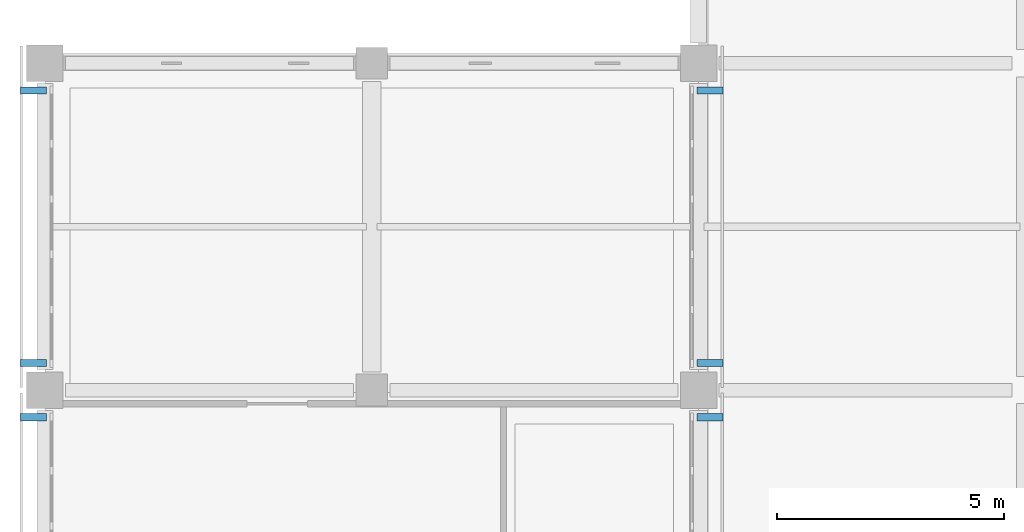
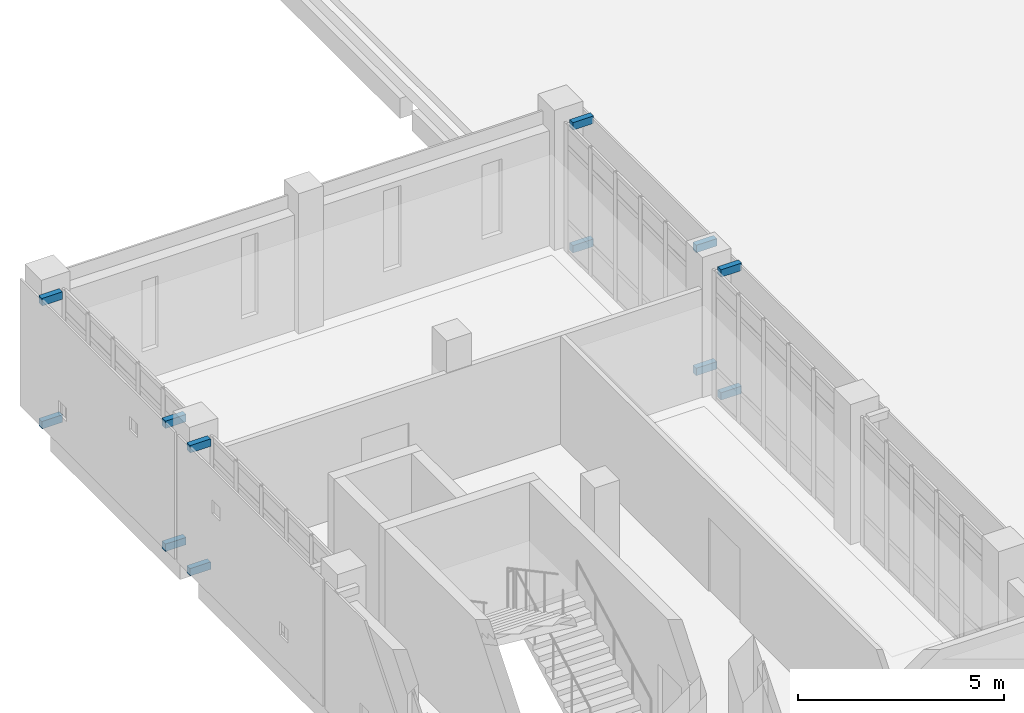
# One storey, part 44 of 51: 12 discrete accessories.
"""IFC4 building model written with IfcOpenShell, lengths in metres."""

from ifc_helpers import new_model, si_unit, direction, frame, origin, origin_2d, place, context, subcontext, project, spatial, rectangle, extrude, material, type_object, element, save


model = new_model("IFC4")

# Units and contexts
model_context = context("Model", 3, precision=1e-05, world=origin(), true_north=direction((0.0, 1.0)))
body_context = subcontext(model_context, "Body", "Model", "MODEL_VIEW")
ifc_project = project(units=[si_unit("LENGTHUNIT", "METRE"), si_unit("AREAUNIT", "SQUARE_METRE"), si_unit("VOLUMEUNIT", "CUBIC_METRE"), si_unit("PLANEANGLEUNIT", "RADIAN"), si_unit("MASSUNIT", "GRAM", prefix="KILO")], contexts=[model_context])

# Site, building, storey
site_placement = place(None, origin())
site = spatial("IfcSite", under=ifc_project, at=site_placement, CompositionType="ELEMENT")
building_placement = place(site_placement, origin())
building = spatial("IfcBuilding", under=site, at=building_placement, Name="Valkovuoma Quantum and Materials Research Institute", CompositionType="ELEMENT")
storey_placement = place(building_placement, frame((0.0, 0.0, 17.280029296875)))
storey = spatial("IfcBuildingStorey", under=building, at=storey_placement, Name="L04", CompositionType="ELEMENT", Elevation=17.280029296875)

# Discrete accessories
ifc_material = material(Name="Steel S355J2", Category="steel")
discrete_accessory_type = type_object("IfcDiscreteAccessoryType", Name="Brk-BRK-01", PredefinedType="BRACKET", material=ifc_material)
for number, where, z_axis, x_axis, name in (
    (1, (-0.25, 85.800048828125, -0.02978515625), (0.0, 0.0, 1.0), (1.0, 0.0, 0.0), "L04 screen bracket 00206"),
    (2, (-0.25, 85.800048828125, 3.6201171875), (0.0, 0.0, 1.0), (1.0, 0.0, 0.0), "L04 screen bracket 00208"),
    (3, (14.64990234375, 85.800048828125, -0.02978515625), (0.0, 0.0, 1.0), (1.0, 0.0, 0.0), "L04 screen bracket 00210"),
    (4, (14.64990234375, 85.800048828125, 3.6201171875), (0.0, 0.0, 1.0), (1.0, 0.0, 0.0), "L04 screen bracket 00212"),
    (5, (-0.25, 87.0, -0.02978515625), (0.0, 0.0, 1.0), (1.0, 0.0, 0.0), "L04 screen bracket 00213"),
    (6, (-0.25, 93.0, -0.02978515625), (0.0, 0.0, 1.0), (1.0, 0.0, 0.0), "L04 screen bracket 00214"),
    (7, (-0.25, 87.0, 3.6201171875), (0.0, 0.0, 1.0), (1.0, 0.0, 0.0), "L04 screen bracket 00215"),
    (8, (-0.25, 93.0, 3.6201171875), (0.0, 0.0, 1.0), (1.0, 0.0, 0.0), "L04 screen bracket 00216"),
    (9, (14.64990234375, 87.0, -0.02978515625), (0.0, 0.0, 1.0), (1.0, 0.0, 0.0), "L04 screen bracket 00217"),
    (10, (14.64990234375, 93.0, -0.02978515625), (0.0, 0.0, 1.0), (1.0, 0.0, 0.0), "L04 screen bracket 00218"),
    (11, (14.64990234375, 87.0, 3.6201171875), (0.0, 0.0, 1.0), (1.0, 0.0, 0.0), "L04 screen bracket 00219"),
    (12, (14.64990234375, 93.0, 3.6201171875), (0.0, 0.0, 1.0), (1.0, 0.0, 0.0), "L04 screen bracket 00220"),
):
    element("IfcDiscreteAccessory", number, at=place(storey_placement, frame(where, z_axis=z_axis, x_axis=x_axis)), inside=storey, type_object=discrete_accessory_type, Name=name, PredefinedType="BRACKET", context=body_context, shape_type="SweptSolid", body=[
        extrude(rectangle(XDim=0.580078125, YDim=0.159912109375, at=origin_2d()), origin(), (0.0, 0.0, 1.0), 0.219970703125),
    ])

save(model, "model.ifc")
